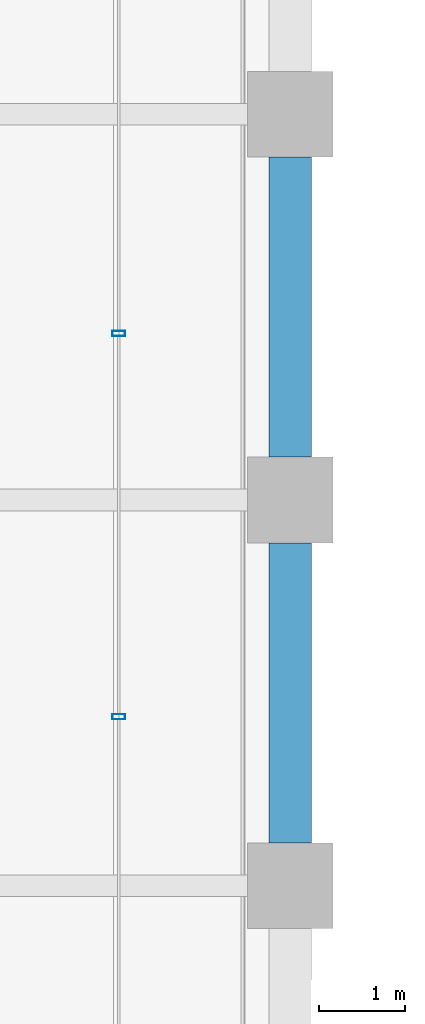
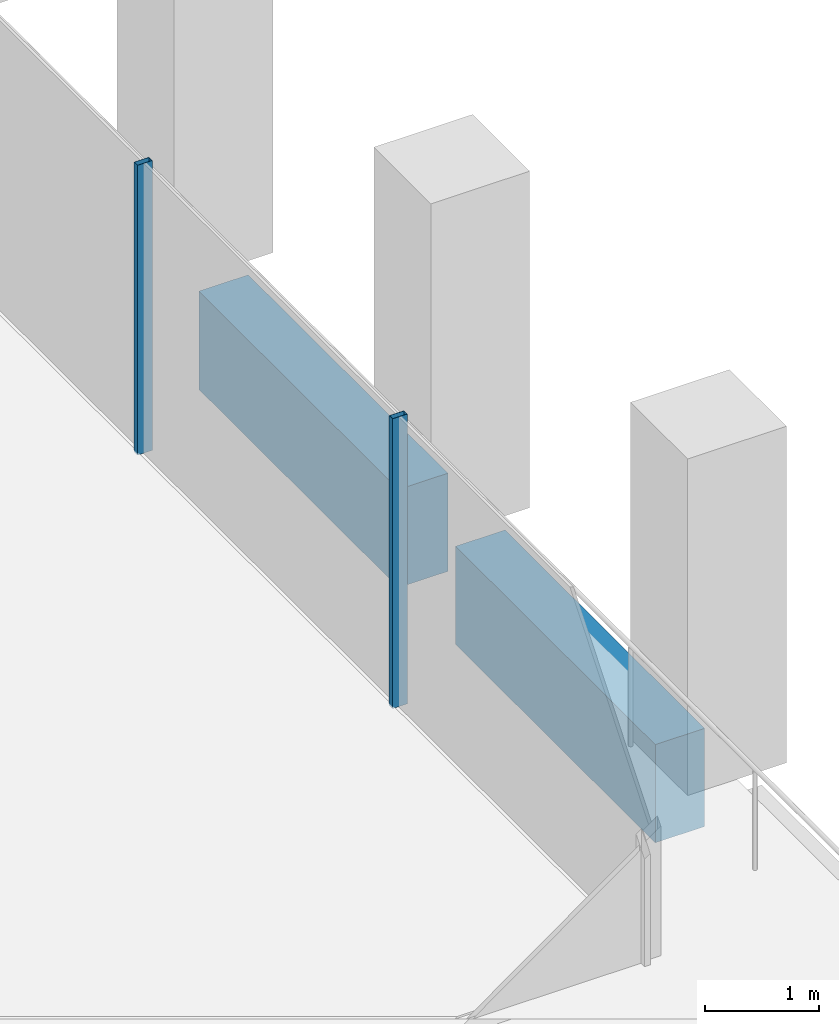
# One storey, part 15 of 46: 2 beams, 2 members, 1 element without a shape of its own.
"""IFC4 building model written with IfcOpenShell, lengths in metres."""

from ifc_helpers import new_model, si_unit, direction, frame, origin, origin_2d, place, context, subcontext, project, spatial, rectangle, hollow_rectangle, extrude, material, material_profile, profile_set, type_object, element, aggregate, save


model = new_model("IFC4")

# Units and contexts
model_context = context("Model", 3, precision=1e-05, world=origin(), true_north=direction((0.0, 1.0)))
body_context = subcontext(model_context, "Body", "Model", "MODEL_VIEW")
ifc_project = project(units=[si_unit("LENGTHUNIT", "METRE"), si_unit("AREAUNIT", "SQUARE_METRE"), si_unit("VOLUMEUNIT", "CUBIC_METRE"), si_unit("PLANEANGLEUNIT", "RADIAN"), si_unit("MASSUNIT", "GRAM", prefix="KILO")], contexts=[model_context])

# Site, building, storey
site_placement = place(None, origin())
site = spatial("IfcSite", under=ifc_project, at=site_placement, CompositionType="ELEMENT")
building_placement = place(site_placement, origin())
building = spatial("IfcBuilding", under=site, at=building_placement, Name="Altepetl Exchange Towers", CompositionType="ELEMENT")
storey_placement = place(building_placement, frame((0.0, 0.0, 106.39990234375)))
storey = spatial("IfcBuildingStorey", under=building, at=storey_placement, Name="L26", CompositionType="ELEMENT", Elevation=106.39990234375)

# Curtain wall, members
ifc_material_1 = material(Name="Aluminium 6063-T6 glazing", Category="aluminium")
curtain_wall_type = type_object("IfcCurtainWallType", Name="Loggia glazing system", PredefinedType="NOTDEFINED", material=ifc_material_1)
curtain_wall_placement = place(storey_placement, origin())
curtain_wall = element("IfcCurtainWall", 1, at=curtain_wall_placement, inside=storey, type_object=curtain_wall_type, Name="CW1 run", PredefinedType="NOTDEFINED")
ifc_material_2 = material(Name="Aluminium 6063-T6", Category="aluminium")
ifc_material_profile_1 = material_profile(ifc_material_2, hollow_rectangle(XDim=0.06005859375, YDim=0.14990234375, WallThickness=0.0029296875, at=origin_2d()), Name="Mullion 60x150 aluminium")
ifc_profile_set_1 = profile_set([ifc_material_profile_1], Name="Aluminium 6063-T6")
member_type = type_object("IfcMemberType", Name="Mullion 60x150 aluminium", PredefinedType="MULLION", material=ifc_profile_set_1)
member_1_placement = place(storey_placement, frame((70.0, 37.970947265625, 0.0), z_axis=(0.0, 0.0, 1.0), x_axis=(0.0, 1.0, 0.0)))
member_1 = element("IfcMember", 2, at=member_1_placement, type_object=member_type, Name="MU1 mullion", PredefinedType="MULLION", context=body_context, shape_type="SweptSolid", body=[
    extrude(hollow_rectangle(XDim=0.06005859375, YDim=0.14990234375, WallThickness=0.0029296875, at=origin_2d()), origin(), (0.0, 0.0, 1.0), 3.10009765625),
])
member_2_placement = place(storey_placement, frame((70.0, 42.44189453125, 0.0), z_axis=(0.0, 0.0, 1.0), x_axis=(0.0, 1.0, 0.0)))
member_2 = element("IfcMember", 3, at=member_2_placement, type_object=member_type, Name="MU1 mullion", PredefinedType="MULLION", context=body_context, shape_type="SweptSolid", body=[
    extrude(hollow_rectangle(XDim=0.06005859375, YDim=0.14990234375, WallThickness=0.0029296875, at=origin_2d()), origin(), (0.0, 0.0, 1.0), 3.10009765625),
])
aggregate(curtain_wall, [member_1, member_2])

# Beams
ifc_material_3 = material(Name="Concrete C50/60 precast with cantera amarilla facing", Category="concrete")
ifc_material_profile_2 = material_profile(ifc_material_3, rectangle(XDim=0.5, YDim=1.050048828125, at=origin_2d()), Name="500 x 1050")
ifc_profile_set_2 = profile_set([ifc_material_profile_2], Name="Concrete C50/60 precast with cantera amarilla facing")
beam_type = type_object("IfcBeamType", Name="Spandrel beam 500x1050 cantera amarilla", PredefinedType="SPANDREL", material=ifc_profile_set_2)
for number, where, z_axis, x_axis, name in (
    (4, (72.0, 36.5, -0.6748046875), (0.0, 1.0, 0.0), (-1.0, 0.0, 0.0), "sp:A:L26:013"),
    (5, (72.0, 41.0, -0.6748046875), (0.0, 1.0, 0.0), (-1.0, 0.0, 0.0), "sp:A:L26:014"),
):
    element("IfcBeam", number, at=place(storey_placement, frame(where, z_axis=z_axis, x_axis=x_axis)), inside=storey, type_object=beam_type, Name=name, PredefinedType="SPANDREL", context=body_context, shape_type="SweptSolid", body=[
        extrude(rectangle(XDim=0.5, YDim=1.050048828125, at=origin_2d()), origin(), (0.0, 0.0, 1.0), 3.5),
    ])

save(model, "model.ifc")
